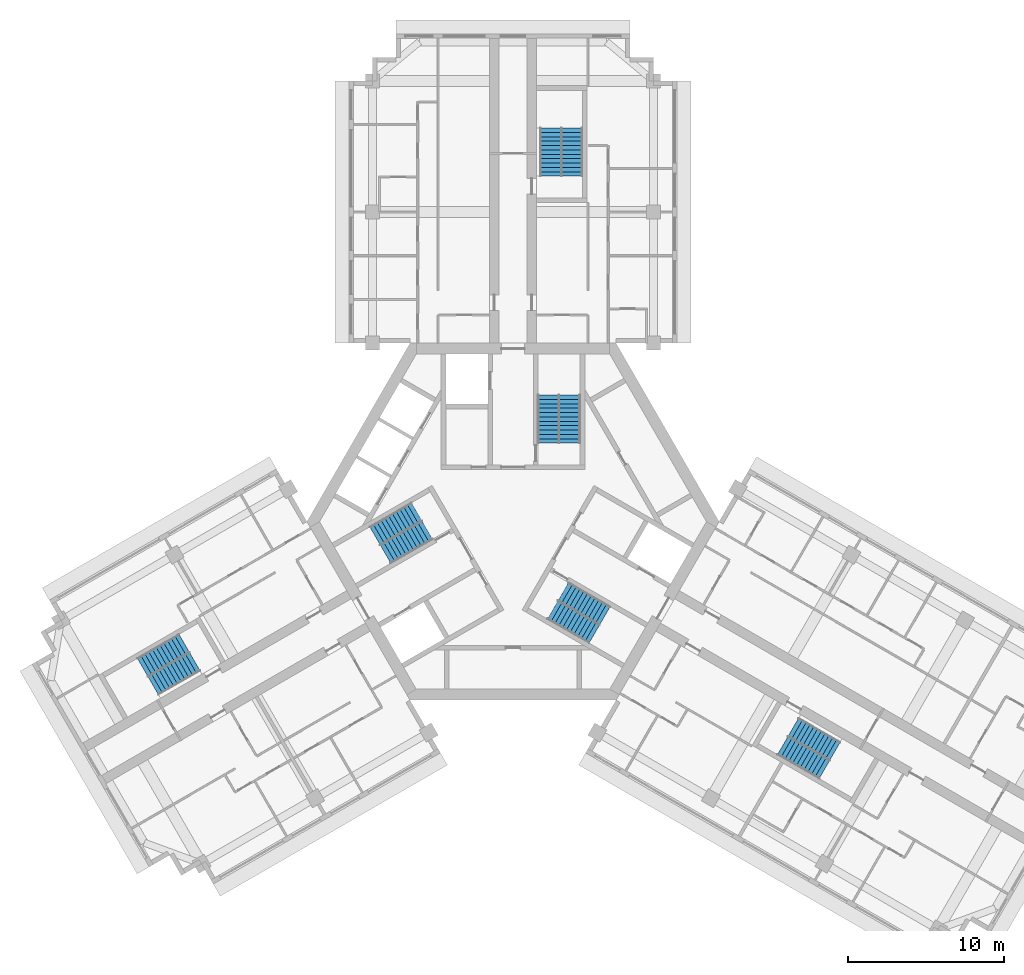
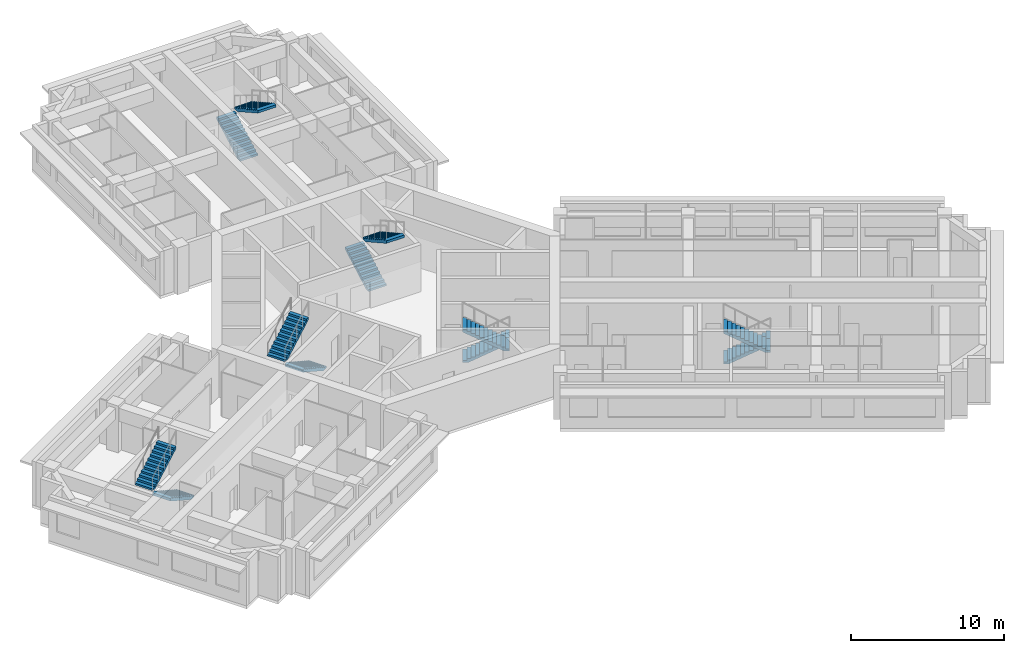
# One storey, part 9 of 10: 12 stair flights, 6 elements without a shape of their own.
"""IFC4 building model written with IfcOpenShell, lengths in metres."""

from ifc_helpers import new_model, si_unit, direction, frame, origin, place, context, subcontext, project, spatial, polyline, outline, extrude, material, type_object, element, aggregate, save


model = new_model("IFC4")

# Units and contexts
model_context = context("Model", 3, precision=1e-05, world=origin(), true_north=direction((0.0, 1.0)))
body_context = subcontext(model_context, "Body", "Model", "MODEL_VIEW")
ifc_project = project(units=[si_unit("LENGTHUNIT", "METRE"), si_unit("AREAUNIT", "SQUARE_METRE"), si_unit("VOLUMEUNIT", "CUBIC_METRE"), si_unit("PLANEANGLEUNIT", "RADIAN"), si_unit("MASSUNIT", "GRAM", prefix="KILO")], contexts=[model_context])

# Site, building, storey
site_placement = place(None, origin())
site = spatial("IfcSite", under=ifc_project, at=site_placement, CompositionType="ELEMENT")
building_placement = place(site_placement, origin())
building = spatial("IfcBuilding", under=site, at=building_placement, Name="Impinga Residences", CompositionType="ELEMENT")
storey_placement = place(building_placement, frame((0.0, 0.0, 237.25)))
storey = spatial("IfcBuildingStorey", under=building, at=storey_placement, Name="L59", CompositionType="ELEMENT", Elevation=237.25)

# Stair, stair flights
ifc_material = material(Name="Concrete C40/50", Category="concrete")
stair_type_1 = type_object("IfcStairType", Name="STR core stair 3750 storey, 24 risers", PredefinedType="HALF_TURN_STAIR", material=ifc_material)
stair_1_placement = place(storey_placement, origin())
stair_1 = element("IfcStair", 1, at=stair_1_placement, inside=storey, type_object=stair_type_1, Name="Stair ST1 L59", PredefinedType="HALF_TURN_STAIR")
stair_flight_type = type_object("IfcStairFlightType", Name="SF 12 risers of 156", PredefinedType="STRAIGHT", material=ifc_material)
stair_flight_1_placement = place(storey_placement, frame((2.27490234375, 5.030029296875, 0.0), z_axis=(0.0, 0.0, 1.0), x_axis=(0.0, 1.0, 0.0)))
stair_flight_1 = element("IfcStairFlight", 2, at=stair_flight_1_placement, type_object=stair_flight_type, Name="ST1 flight 1", NumberOfRisers=12, NumberOfTreads=11, PredefinedType="STRAIGHT", RiserHeight=0.15625, TreadLength=0.28, context=body_context, shape_type="SweptSolid", body=[
    extrude(outline(polyline([(0.0, 0.0), (0.0, 0.15625), (0.280029296875, 0.15625), (0.280029296875, 0.3125), (0.56005859375, 0.3125), (0.56005859375, 0.46875), (0.840087890625, 0.46875), (0.840087890625, 0.625), (1.1201171875, 0.625), (1.1201171875, 0.78125), (1.39990234375, 0.78125), (1.39990234375, 0.9375), (1.679931640625, 0.9375), (1.679931640625, 1.09375), (1.9599609375, 1.09375), (1.9599609375, 1.25), (2.239990234375, 1.25), (2.239990234375, 1.40625), (2.52001953125, 1.40625), (2.52001953125, 1.5625), (2.800048828125, 1.5625), (2.800048828125, 1.71875), (3.080078125, 1.71875), (3.080078125, 1.875), (3.080078125, 1.5126953125), (0.369140625, 0.0), (0.0, 0.0)])), frame((0.0, 0.675048828125, 0.0), z_axis=(0.0, -1.0, 0.0), x_axis=(1.0, 0.0, 0.0)), (0.0, 0.0, 1.0), 1.35009765625),
])
stair_flight_2_placement = place(storey_placement, frame((3.625, 8.110107421875, 1.875), z_axis=(0.0, 0.0, 1.0), x_axis=(0.0, -1.0, 0.0)))
stair_flight_2 = element("IfcStairFlight", 3, at=stair_flight_2_placement, type_object=stair_flight_type, Name="ST1 flight 2", NumberOfRisers=12, NumberOfTreads=11, PredefinedType="STRAIGHT", RiserHeight=0.15625, TreadLength=0.28, context=body_context, shape_type="SweptSolid", body=[
    extrude(outline(polyline([(0.0, 0.0), (0.0, 0.15625), (0.280029296875, 0.15625), (0.280029296875, 0.3125), (0.56005859375, 0.3125), (0.56005859375, 0.46875), (0.840087890625, 0.46875), (0.840087890625, 0.625), (1.1201171875, 0.625), (1.1201171875, 0.78125), (1.39990234375, 0.78125), (1.39990234375, 0.9375), (1.679931640625, 0.9375), (1.679931640625, 1.09375), (1.9599609375, 1.09375), (1.9599609375, 1.25), (2.239990234375, 1.25), (2.239990234375, 1.40625), (2.52001953125, 1.40625), (2.52001953125, 1.5625), (2.800048828125, 1.5625), (2.800048828125, 1.71875), (3.080078125, 1.71875), (3.080078125, 1.875), (3.080078125, 1.5126953125), (0.369140625, 0.0), (0.0, 0.0)])), frame((0.0, 0.675048828125, 0.0), z_axis=(0.0, -1.0, 0.0), x_axis=(1.0, 0.0, 0.0)), (0.0, 0.0, 1.0), 1.35009765625),
])
aggregate(stair_1, [stair_flight_1, stair_flight_2])

stair_2_placement = place(storey_placement, origin())
stair_2 = element("IfcStair", 4, at=stair_2_placement, inside=storey, type_object=stair_type_1, Name="Stair ST2 L59", PredefinedType="HALF_TURN_STAIR")
stair_flight_3_placement = place(storey_placement, frame((-5.49365234375, -0.544677734375, 0.0), z_axis=(0.0, 0.0, 1.0), x_axis=(-0.866025403784, -0.5, 0.0)))
stair_flight_3 = element("IfcStairFlight", 5, at=stair_flight_3_placement, type_object=stair_flight_type, Name="ST2 flight 1", NumberOfRisers=12, NumberOfTreads=11, PredefinedType="STRAIGHT", RiserHeight=0.15625, TreadLength=0.28, context=body_context, shape_type="SweptSolid", body=[
    extrude(outline(polyline([(0.0, 0.0), (0.0, 0.15625), (0.280029296875, 0.15625), (0.280029296875, 0.3125), (0.56005859375, 0.3125), (0.56005859375, 0.46875), (0.840087890625, 0.46875), (0.840087890625, 0.625), (1.1201171875, 0.625), (1.1201171875, 0.78125), (1.39990234375, 0.78125), (1.39990234375, 0.9375), (1.679931640625, 0.9375), (1.679931640625, 1.09375), (1.9599609375, 1.09375), (1.9599609375, 1.25), (2.239990234375, 1.25), (2.239990234375, 1.40625), (2.52001953125, 1.40625), (2.52001953125, 1.5625), (2.800048828125, 1.5625), (2.800048828125, 1.71875), (3.080078125, 1.71875), (3.080078125, 1.875), (3.080078125, 1.5126953125), (0.369140625, 0.0), (0.0, 0.0)])), frame((0.0, 0.675048828125, 0.0), z_axis=(0.0, -1.0, 0.0), x_axis=(1.0, 0.0, 0.0)), (0.0, 0.0, 1.0), 1.35009765625),
])
stair_flight_4_placement = place(storey_placement, frame((-8.8359375, -0.915771484375, 1.875), z_axis=(0.0, 0.0, 1.0), x_axis=(0.866025403784, 0.5, 0.0)))
stair_flight_4 = element("IfcStairFlight", 6, at=stair_flight_4_placement, type_object=stair_flight_type, Name="ST2 flight 2", NumberOfRisers=12, NumberOfTreads=11, PredefinedType="STRAIGHT", RiserHeight=0.15625, TreadLength=0.28, context=body_context, shape_type="SweptSolid", body=[
    extrude(outline(polyline([(0.0, 0.0), (0.0, 0.15625), (0.280029296875, 0.15625), (0.280029296875, 0.3125), (0.56005859375, 0.3125), (0.56005859375, 0.46875), (0.840087890625, 0.46875), (0.840087890625, 0.625), (1.1201171875, 0.625), (1.1201171875, 0.78125), (1.39990234375, 0.78125), (1.39990234375, 0.9375), (1.679931640625, 0.9375), (1.679931640625, 1.09375), (1.9599609375, 1.09375), (1.9599609375, 1.25), (2.239990234375, 1.25), (2.239990234375, 1.40625), (2.52001953125, 1.40625), (2.52001953125, 1.5625), (2.800048828125, 1.5625), (2.800048828125, 1.71875), (3.080078125, 1.71875), (3.080078125, 1.875), (3.080078125, 1.5126953125), (0.369140625, 0.0), (0.0, 0.0)])), frame((0.0, 0.675048828125, 0.0), z_axis=(0.0, -1.0, 0.0), x_axis=(1.0, 0.0, 0.0)), (0.0, 0.0, 1.0), 1.35009765625),
])
aggregate(stair_2, [stair_flight_3, stair_flight_4])

stair_3_placement = place(storey_placement, origin())
stair_3 = element("IfcStair", 7, at=stair_3_placement, inside=storey, type_object=stair_type_1, Name="Stair ST3 L59", PredefinedType="HALF_TURN_STAIR")
stair_flight_5_placement = place(storey_placement, frame((3.218505859375, -4.485107421875, 0.0), z_axis=(0.0, 0.0, 1.0), x_axis=(0.866025403784, -0.5, 0.0)))
stair_flight_5 = element("IfcStairFlight", 8, at=stair_flight_5_placement, type_object=stair_flight_type, Name="ST3 flight 1", NumberOfRisers=12, NumberOfTreads=11, PredefinedType="STRAIGHT", RiserHeight=0.15625, TreadLength=0.28, context=body_context, shape_type="SweptSolid", body=[
    extrude(outline(polyline([(0.0, 0.0), (0.0, 0.15625), (0.280029296875, 0.15625), (0.280029296875, 0.3125), (0.56005859375, 0.3125), (0.56005859375, 0.46875), (0.840087890625, 0.46875), (0.840087890625, 0.625), (1.1201171875, 0.625), (1.1201171875, 0.78125), (1.39990234375, 0.78125), (1.39990234375, 0.9375), (1.679931640625, 0.9375), (1.679931640625, 1.09375), (1.9599609375, 1.09375), (1.9599609375, 1.25), (2.239990234375, 1.25), (2.239990234375, 1.40625), (2.52001953125, 1.40625), (2.52001953125, 1.5625), (2.800048828125, 1.5625), (2.800048828125, 1.71875), (3.080078125, 1.71875), (3.080078125, 1.875), (3.080078125, 1.5126953125), (0.369140625, 0.0), (0.0, 0.0)])), frame((0.0, 0.675048828125, 0.0), z_axis=(0.0, -1.0, 0.0), x_axis=(1.0, 0.0, 0.0)), (0.0, 0.0, 1.0), 1.35009765625),
])
stair_flight_6_placement = place(storey_placement, frame((5.2109375, -7.1943359375, 1.875), z_axis=(0.0, 0.0, 1.0), x_axis=(-0.866025403784, 0.5, 0.0)))
stair_flight_6 = element("IfcStairFlight", 9, at=stair_flight_6_placement, type_object=stair_flight_type, Name="ST3 flight 2", NumberOfRisers=12, NumberOfTreads=11, PredefinedType="STRAIGHT", RiserHeight=0.15625, TreadLength=0.28, context=body_context, shape_type="SweptSolid", body=[
    extrude(outline(polyline([(0.0, 0.0), (0.0, 0.15625), (0.280029296875, 0.15625), (0.280029296875, 0.3125), (0.56005859375, 0.3125), (0.56005859375, 0.46875), (0.840087890625, 0.46875), (0.840087890625, 0.625), (1.1201171875, 0.625), (1.1201171875, 0.78125), (1.39990234375, 0.78125), (1.39990234375, 0.9375), (1.679931640625, 0.9375), (1.679931640625, 1.09375), (1.9599609375, 1.09375), (1.9599609375, 1.25), (2.239990234375, 1.25), (2.239990234375, 1.40625), (2.52001953125, 1.40625), (2.52001953125, 1.5625), (2.800048828125, 1.5625), (2.800048828125, 1.71875), (3.080078125, 1.71875), (3.080078125, 1.875), (3.080078125, 1.5126953125), (0.369140625, 0.0), (0.0, 0.0)])), frame((0.0, 0.675048828125, 0.0), z_axis=(0.0, -1.0, 0.0), x_axis=(1.0, 0.0, 0.0)), (0.0, 0.0, 1.0), 1.35009765625),
])
aggregate(stair_3, [stair_flight_5, stair_flight_6])

stair_type_2 = type_object("IfcStairType", Name="STR wing stair 3750 storey, 24 risers", PredefinedType="HALF_TURN_STAIR", material=ifc_material)
stair_4_placement = place(storey_placement, origin())
stair_4 = element("IfcStair", 10, at=stair_4_placement, inside=storey, type_object=stair_type_2, Name="Stair WS1 L59", PredefinedType="HALF_TURN_STAIR")
stair_flight_7_placement = place(storey_placement, frame((2.425048828125, 22.131591796875, 0.0), z_axis=(0.0, 0.0, 1.0), x_axis=(0.0, 1.0, 0.0)))
stair_flight_7 = element("IfcStairFlight", 11, at=stair_flight_7_placement, type_object=stair_flight_type, Name="WS1 flight 1", NumberOfRisers=12, NumberOfTreads=11, PredefinedType="STRAIGHT", RiserHeight=0.15625, TreadLength=0.28, context=body_context, shape_type="SweptSolid", body=[
    extrude(outline(polyline([(0.0, 0.0), (0.0, 0.15625), (0.280029296875, 0.15625), (0.280029296875, 0.3125), (0.56005859375, 0.3125), (0.56005859375, 0.46875), (0.840087890625, 0.46875), (0.840087890625, 0.625), (1.1201171875, 0.625), (1.1201171875, 0.78125), (1.39990234375, 0.78125), (1.39990234375, 0.9375), (1.679931640625, 0.9375), (1.679931640625, 1.09375), (1.9599609375, 1.09375), (1.9599609375, 1.25), (2.239990234375, 1.25), (2.239990234375, 1.40625), (2.52001953125, 1.40625), (2.52001953125, 1.5625), (2.800048828125, 1.5625), (2.800048828125, 1.71875), (3.080078125, 1.71875), (3.080078125, 1.875), (3.080078125, 1.5126953125), (0.369140625, 0.0), (0.0, 0.0)])), frame((0.0, 0.675048828125, 0.0), z_axis=(0.0, -1.0, 0.0), x_axis=(1.0, 0.0, 0.0)), (0.0, 0.0, 1.0), 1.35009765625),
])
stair_flight_8_placement = place(storey_placement, frame((3.77490234375, 25.21142578125, 1.875), z_axis=(0.0, 0.0, 1.0), x_axis=(0.0, -1.0, 0.0)))
stair_flight_8 = element("IfcStairFlight", 12, at=stair_flight_8_placement, type_object=stair_flight_type, Name="WS1 flight 2", NumberOfRisers=12, NumberOfTreads=11, PredefinedType="STRAIGHT", RiserHeight=0.15625, TreadLength=0.28, context=body_context, shape_type="SweptSolid", body=[
    extrude(outline(polyline([(0.0, 0.0), (0.0, 0.15625), (0.280029296875, 0.15625), (0.280029296875, 0.3125), (0.56005859375, 0.3125), (0.56005859375, 0.46875), (0.840087890625, 0.46875), (0.840087890625, 0.625), (1.1201171875, 0.625), (1.1201171875, 0.78125), (1.39990234375, 0.78125), (1.39990234375, 0.9375), (1.679931640625, 0.9375), (1.679931640625, 1.09375), (1.9599609375, 1.09375), (1.9599609375, 1.25), (2.239990234375, 1.25), (2.239990234375, 1.40625), (2.52001953125, 1.40625), (2.52001953125, 1.5625), (2.800048828125, 1.5625), (2.800048828125, 1.71875), (3.080078125, 1.71875), (3.080078125, 1.875), (3.080078125, 1.5126953125), (0.369140625, 0.0), (0.0, 0.0)])), frame((0.0, 0.675048828125, 0.0), z_axis=(0.0, -1.0, 0.0), x_axis=(1.0, 0.0, 0.0)), (0.0, 0.0, 1.0), 1.35009765625),
])
aggregate(stair_4, [stair_flight_7, stair_flight_8])

stair_5_placement = place(storey_placement, origin())
stair_5 = element("IfcStair", 13, at=stair_5_placement, inside=storey, type_object=stair_type_2, Name="Stair WS2 L59", PredefinedType="HALF_TURN_STAIR")
stair_flight_9_placement = place(storey_placement, frame((-20.37890625, -8.965576171875, 0.0), z_axis=(0.0, 0.0, 1.0), x_axis=(-0.866025403784, -0.5, 0.0)))
stair_flight_9 = element("IfcStairFlight", 14, at=stair_flight_9_placement, type_object=stair_flight_type, Name="WS2 flight 1", NumberOfRisers=12, NumberOfTreads=11, PredefinedType="STRAIGHT", RiserHeight=0.15625, TreadLength=0.28, context=body_context, shape_type="SweptSolid", body=[
    extrude(outline(polyline([(0.0, 0.0), (0.0, 0.15625), (0.280029296875, 0.15625), (0.280029296875, 0.3125), (0.56005859375, 0.3125), (0.56005859375, 0.46875), (0.840087890625, 0.46875), (0.840087890625, 0.625), (1.1201171875, 0.625), (1.1201171875, 0.78125), (1.39990234375, 0.78125), (1.39990234375, 0.9375), (1.679931640625, 0.9375), (1.679931640625, 1.09375), (1.9599609375, 1.09375), (1.9599609375, 1.25), (2.239990234375, 1.25), (2.239990234375, 1.40625), (2.52001953125, 1.40625), (2.52001953125, 1.5625), (2.800048828125, 1.5625), (2.800048828125, 1.71875), (3.080078125, 1.71875), (3.080078125, 1.875), (3.080078125, 1.5126953125), (0.369140625, 0.0), (0.0, 0.0)])), frame((0.0, 0.675048828125, 0.0), z_axis=(0.0, -1.0, 0.0), x_axis=(1.0, 0.0, 0.0)), (0.0, 0.0, 1.0), 1.35009765625),
])
stair_flight_10_placement = place(storey_placement, frame((-23.721435546875, -9.33642578125, 1.875), z_axis=(0.0, 0.0, 1.0), x_axis=(0.866025403784, 0.5, 0.0)))
stair_flight_10 = element("IfcStairFlight", 15, at=stair_flight_10_placement, type_object=stair_flight_type, Name="WS2 flight 2", NumberOfRisers=12, NumberOfTreads=11, PredefinedType="STRAIGHT", RiserHeight=0.15625, TreadLength=0.28, context=body_context, shape_type="SweptSolid", body=[
    extrude(outline(polyline([(0.0, 0.0), (0.0, 0.15625), (0.280029296875, 0.15625), (0.280029296875, 0.3125), (0.56005859375, 0.3125), (0.56005859375, 0.46875), (0.840087890625, 0.46875), (0.840087890625, 0.625), (1.1201171875, 0.625), (1.1201171875, 0.78125), (1.39990234375, 0.78125), (1.39990234375, 0.9375), (1.679931640625, 0.9375), (1.679931640625, 1.09375), (1.9599609375, 1.09375), (1.9599609375, 1.25), (2.239990234375, 1.25), (2.239990234375, 1.40625), (2.52001953125, 1.40625), (2.52001953125, 1.5625), (2.800048828125, 1.5625), (2.800048828125, 1.71875), (3.080078125, 1.71875), (3.080078125, 1.875), (3.080078125, 1.5126953125), (0.369140625, 0.0), (0.0, 0.0)])), frame((0.0, 0.675048828125, 0.0), z_axis=(0.0, -1.0, 0.0), x_axis=(1.0, 0.0, 0.0)), (0.0, 0.0, 1.0), 1.35009765625),
])
aggregate(stair_5, [stair_flight_9, stair_flight_10])

stair_6_placement = place(storey_placement, origin())
stair_6 = element("IfcStair", 16, at=stair_6_placement, inside=storey, type_object=stair_type_2, Name="Stair WS3 L59", PredefinedType="HALF_TURN_STAIR")
stair_flight_11_placement = place(storey_placement, frame((17.953857421875, -13.165771484375, 0.0), z_axis=(0.0, 0.0, 1.0), x_axis=(0.866025403784, -0.5, 0.0)))
stair_flight_11 = element("IfcStairFlight", 17, at=stair_flight_11_placement, type_object=stair_flight_type, Name="WS3 flight 1", NumberOfRisers=12, NumberOfTreads=11, PredefinedType="STRAIGHT", RiserHeight=0.15625, TreadLength=0.28, context=body_context, shape_type="SweptSolid", body=[
    extrude(outline(polyline([(0.0, 0.0), (0.0, 0.15625), (0.280029296875, 0.15625), (0.280029296875, 0.3125), (0.56005859375, 0.3125), (0.56005859375, 0.46875), (0.840087890625, 0.46875), (0.840087890625, 0.625), (1.1201171875, 0.625), (1.1201171875, 0.78125), (1.39990234375, 0.78125), (1.39990234375, 0.9375), (1.679931640625, 0.9375), (1.679931640625, 1.09375), (1.9599609375, 1.09375), (1.9599609375, 1.25), (2.239990234375, 1.25), (2.239990234375, 1.40625), (2.52001953125, 1.40625), (2.52001953125, 1.5625), (2.800048828125, 1.5625), (2.800048828125, 1.71875), (3.080078125, 1.71875), (3.080078125, 1.875), (3.080078125, 1.5126953125), (0.369140625, 0.0), (0.0, 0.0)])), frame((0.0, 0.675048828125, 0.0), z_axis=(0.0, -1.0, 0.0), x_axis=(1.0, 0.0, 0.0)), (0.0, 0.0, 1.0), 1.35009765625),
])
stair_flight_12_placement = place(storey_placement, frame((19.9462890625, -15.875, 1.875), z_axis=(0.0, 0.0, 1.0), x_axis=(-0.866025403784, 0.5, 0.0)))
stair_flight_12 = element("IfcStairFlight", 18, at=stair_flight_12_placement, type_object=stair_flight_type, Name="WS3 flight 2", NumberOfRisers=12, NumberOfTreads=11, PredefinedType="STRAIGHT", RiserHeight=0.15625, TreadLength=0.28, context=body_context, shape_type="SweptSolid", body=[
    extrude(outline(polyline([(0.0, 0.0), (0.0, 0.15625), (0.280029296875, 0.15625), (0.280029296875, 0.3125), (0.56005859375, 0.3125), (0.56005859375, 0.46875), (0.840087890625, 0.46875), (0.840087890625, 0.625), (1.1201171875, 0.625), (1.1201171875, 0.78125), (1.39990234375, 0.78125), (1.39990234375, 0.9375), (1.679931640625, 0.9375), (1.679931640625, 1.09375), (1.9599609375, 1.09375), (1.9599609375, 1.25), (2.239990234375, 1.25), (2.239990234375, 1.40625), (2.52001953125, 1.40625), (2.52001953125, 1.5625), (2.800048828125, 1.5625), (2.800048828125, 1.71875), (3.080078125, 1.71875), (3.080078125, 1.875), (3.080078125, 1.5126953125), (0.369140625, 0.0), (0.0, 0.0)])), frame((0.0, 0.675048828125, 0.0), z_axis=(0.0, -1.0, 0.0), x_axis=(1.0, 0.0, 0.0)), (0.0, 0.0, 1.0), 1.35009765625),
])
aggregate(stair_6, [stair_flight_11, stair_flight_12])

save(model, "model.ifc")
